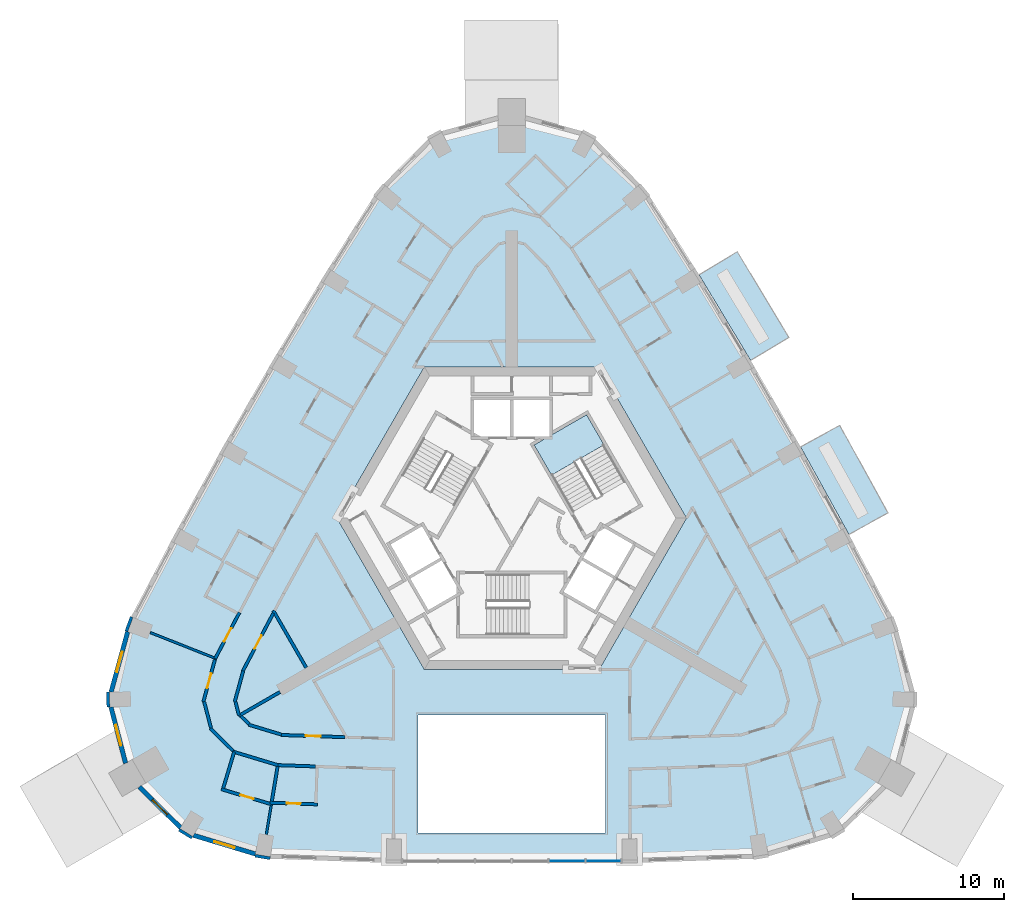
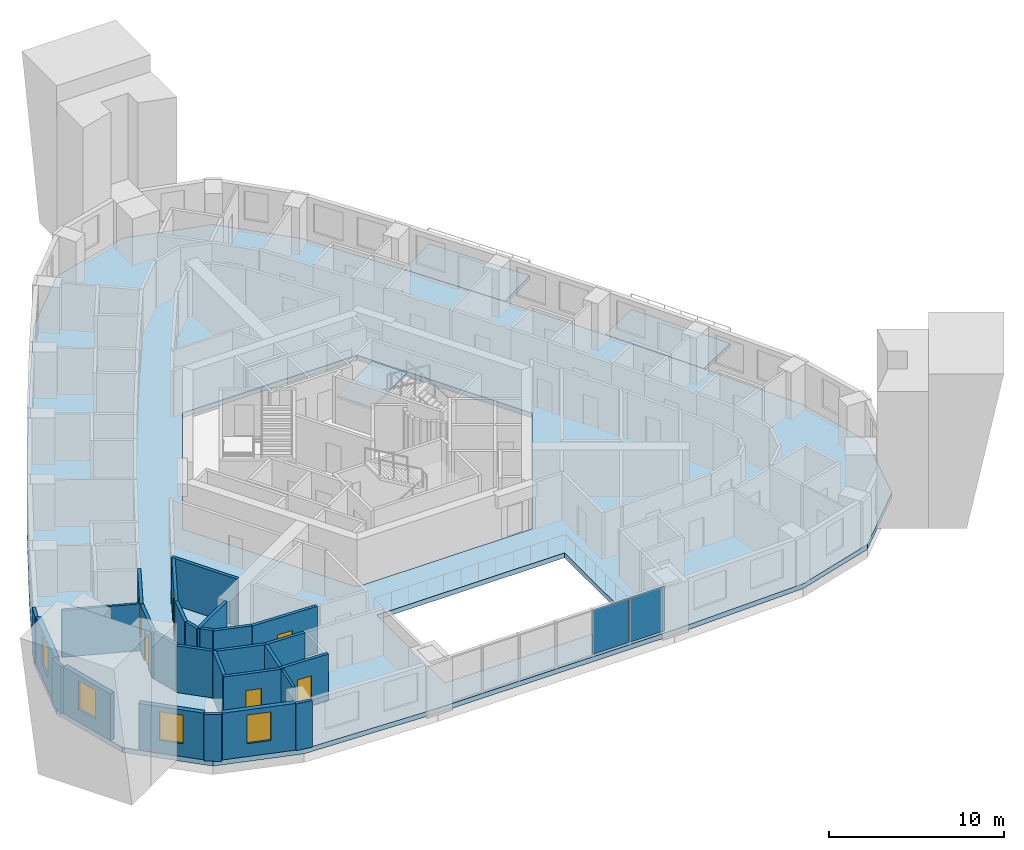
# One storey, part 3 of 14: 28 walls, 6 doors, 4 slabs, 4 windows, 2 plates, 10 openings, 2 elements without a shape of their own.
"""IFC4 building model written with IfcOpenShell, lengths in metres."""

from ifc_helpers import new_model, si_unit, direction, frame, frame_2d, origin, origin_2d, place, context, subcontext, project, spatial, polyline, rectangle, outline, extrude, material, layer, layer_set, type_object, element, fill, aggregate, save


model = new_model("IFC4")

# Units and contexts
model_context = context("Model", 3, precision=1e-05, world=origin(), true_north=direction((0.0, 1.0)))
body_context = subcontext(model_context, "Body", "Model", "MODEL_VIEW")
ifc_project = project(units=[si_unit("LENGTHUNIT", "METRE"), si_unit("AREAUNIT", "SQUARE_METRE"), si_unit("VOLUMEUNIT", "CUBIC_METRE"), si_unit("PLANEANGLEUNIT", "RADIAN"), si_unit("MASSUNIT", "GRAM", prefix="KILO")], contexts=[model_context])

# Site, building, storey
site_placement = place(None, origin())
site = spatial("IfcSite", under=ifc_project, at=site_placement, CompositionType="ELEMENT")
building_placement = place(site_placement, origin())
building = spatial("IfcBuilding", under=site, at=building_placement, Name="Entoto Arch Interchange Tower", CompositionType="ELEMENT")
storey_placement = place(building_placement, frame((0.0, 0.0, 252.199951171875)))
storey = spatial("IfcBuildingStorey", under=building, at=storey_placement, Name="L57", CompositionType="ELEMENT", Elevation=252.199951171875)

# Slabs
ifc_material_1 = material(Name="Board-marked precast concrete C50/60", Category="concrete")
ifc_layer_1 = layer(ifc_material_1, 0.25)
ifc_layer_set_1 = layer_set([ifc_layer_1], Name="Board-marked precast concrete C50/60")
slab_type_1 = type_object("IfcSlabType", Name="BALCONY DECK PRECAST 250", PredefinedType="FLOOR", material=ifc_layer_set_1)
slab_1_placement = place(storey_placement, frame((0.0, 0.0, -0.25)))
element("IfcSlab", 1, at=slab_1_placement, inside=storey, type_object=slab_type_1, Name="Planted balcony NE-02 L57", PredefinedType="FLOOR", context=body_context, shape_type="SweptSolid", body=[
    extrude(outline(polyline([(22.280029296875, 1.427978515625), (19.087890625, 7.2080078125), (21.669921875, 8.634033203125), (24.862060546875, 2.85400390625), (22.280029296875, 1.427978515625)])), origin(), (0.0, 0.0, 1.0), 0.25),
])
slab_2_placement = place(storey_placement, frame((0.0, 0.0, -0.25)))
element("IfcSlab", 2, at=slab_2_placement, inside=storey, type_object=slab_type_1, Name="Planted balcony NE-04 L57", PredefinedType="FLOOR", context=body_context, shape_type="SweptSolid", body=[
    extrude(outline(polyline([(15.785888671875, 12.926025390625), (12.3759765625, 18.58203125), (14.902099609375, 20.10498046875), (18.31201171875, 14.448974609375), (15.785888671875, 12.926025390625)])), origin(), (0.0, 0.0, 1.0), 0.25),
])

# Stair, slab
ifc_material_2 = material(Name="Concrete C40/50", Category="concrete")
stair_type = type_object("IfcStairType", Name="EXIT STAIR RC 1800", PredefinedType="HALF_TURN_STAIR", material=ifc_material_2)
stair_placement = place(storey_placement, origin())
stair = element("IfcStair", 3, at=stair_placement, inside=storey, type_object=stair_type, Name="L57 Exit stair NE", PredefinedType="HALF_TURN_STAIR")
ifc_layer_2 = layer(ifc_material_2, 0.199951171875)
ifc_layer_set_2 = layer_set([ifc_layer_2], Name="Concrete C40/50")
slab_type_2 = type_object("IfcSlabType", Name="EXIT STAIR LANDING RC 200", PredefinedType="LANDING", material=ifc_layer_set_2)
slab_3_placement = place(storey_placement, frame((0.0, 0.0, 1.60009765625)))
slab_3 = element("IfcSlab", 4, at=slab_3_placement, type_object=slab_type_2, Name="ST-NE landing 1", PredefinedType="LANDING", context=body_context, shape_type="SweptSolid", body=[
    extrude(outline(polyline([(6.093505859375, 7.345947265625), (4.943359375, 9.337890625), (1.479248046875, 7.337890625), (2.62939453125, 5.345947265625), (6.093505859375, 7.345947265625)])), origin(), (0.0, 0.0, 1.0), 0.199951171875),
])
aggregate(stair, [slab_3])

# Curtain wall, plates
ifc_material_3 = material(Name="Aluminium, anodised", Category="aluminium")
curtain_wall_type = type_object("IfcCurtainWallType", Name="CURTAIN WALL ATRIUM", PredefinedType="NOTDEFINED", material=ifc_material_3)
curtain_wall_placement = place(storey_placement, origin())
curtain_wall = element("IfcCurtainWall", 5, at=curtain_wall_placement, inside=storey, type_object=curtain_wall_type, Name="Atrium glazing S-02 L57", PredefinedType="NOTDEFINED")
ifc_material_4 = material(Name="Clear glass, low-e double glazed", Category="glass")
ifc_layer_3 = layer(ifc_material_4, 0.031982421875)
ifc_layer_set_3 = layer_set([ifc_layer_3], Name="Clear glass, low-e double glazed")
plate_type = type_object("IfcPlateType", Name="GLAZING PANEL ATRIUM 32", PredefinedType="CURTAIN_PANEL", material=ifc_layer_set_3)
plate_1_placement = place(storey_placement, frame((3.6494140625, -20.1640625, 0.080078125), z_axis=(0.0, 0.0, 1.0), x_axis=(1.0, 0.0, 0.0)))
plate_1 = element("IfcPlate", 6, at=plate_1_placement, type_object=plate_type, Name="CWA panel 5.1", PredefinedType="CURTAIN_PANEL", context=body_context, shape_type="SweptSolid", body=[
    extrude(rectangle(XDim=2.3330078125, YDim=0.031982421875, at=origin_2d()), origin(), (0.0, 0.0, 1.0), 3.10009765625),
])
plate_2_placement = place(storey_placement, frame((6.0576171875, -20.1640625, 0.080078125), z_axis=(0.0, 0.0, 1.0), x_axis=(1.0, 0.0, 0.0)))
plate_2 = element("IfcPlate", 7, at=plate_2_placement, type_object=plate_type, Name="CWA panel 6.1", PredefinedType="CURTAIN_PANEL", context=body_context, shape_type="SweptSolid", body=[
    extrude(rectangle(XDim=2.282958984375, YDim=0.031982421875, at=origin_2d()), origin(), (0.0, 0.0, 1.0), 3.10009765625),
])
aggregate(curtain_wall, [plate_1, plate_2])

# Slab
ifc_layer_4 = layer(ifc_material_2, 0.340087890625)
ifc_layer_set_4 = layer_set([ifc_layer_4], Name="Concrete C40/50")
slab_type_3 = type_object("IfcSlabType", Name="Post-tensioned flat plate 340 C40/50", PredefinedType="FLOOR", material=ifc_layer_set_4)
slab_4_placement = place(storey_placement, frame((0.0, 0.0, -0.33984375)))
element("IfcSlab", 8, at=slab_4_placement, inside=storey, type_object=slab_type_3, Name="Floor slab L57", PredefinedType="FLOOR", context=body_context, shape_type="SweptSolid", body=[
    extrude(outline(polyline([(-16.47998046875, -19.986083984375), (-7.800048828125, -20.2890625), (7.800048828125, -20.2890625), (16.47998046875, -19.986083984375), (21.60888671875, -18.43798828125), (25.4150390625, -14.674072265625), (26.77197265625, -9.493896484375), (25.388916015625, -4.462890625), (22.280029296875, 1.427978515625), (19.087890625, 7.2080078125), (15.785888671875, 12.926025390625), (12.3759765625, 18.58203125), (8.8291015625, 24.219970703125), (5.1640625, 27.93310546875), (0.0, 29.346923828125), (-5.1640625, 27.93310546875), (-8.8291015625, 24.219970703125), (-12.3759765625, 18.58203125), (-15.785888671875, 12.926025390625), (-19.087890625, 7.2080078125), (-22.280029296875, 1.427978515625), (-25.388916015625, -4.462890625), (-26.77197265625, -9.493896484375), (-25.4150390625, -14.674072265625), (-21.60888671875, -18.43798828125), (-16.47998046875, -19.986083984375)]), holes=[polyline([(6.199951171875, -18.2890625), (6.199951171875, -10.5), (-6.199951171875, -10.5), (-6.199951171875, -18.2890625), (6.199951171875, -18.2890625)]), polyline([(11.547119140625, 2.5), (5.77392578125, 12.5), (-5.77392578125, 12.5), (-11.547119140625, 2.5), (-5.77392578125, -7.5), (5.77392578125, -7.5), (11.547119140625, 2.5)])]), origin(), (0.0, 0.0, 1.0), 0.33984375),
])

# Walls
ifc_material_5 = material(Name="Gypsum board partition on steel studs", Category="steel")
ifc_layer_5 = layer(ifc_material_5, 0.14990234375)
ifc_layer_set_5 = layer_set([ifc_layer_5], Name="Gypsum board partition on steel studs")
wall_type_1 = type_object("IfcWallType", Name="PARTITION 150", PredefinedType="PARTITIONING", material=ifc_layer_set_5)
wall_1_placement = place(storey_placement, frame((-19.4970703125, -6.794921875, 0.0), z_axis=(0.0, 0.0, 1.0), x_axis=(-0.929826906887, 0.367997178289, 0.0)))
element("IfcWall", 9, at=wall_1_placement, inside=storey, type_object=wall_type_1, Name="wall:L57:p174", PredefinedType="PARTITIONING", context=body_context, shape_type="SweptSolid", body=[
    extrude(rectangle(XDim=4.717041015625, YDim=0.14990234375, at=frame_2d((2.3583984375, 0.0))), origin(), (0.0, 0.0, 1.0), 3.260009765625),
])
wall_2_placement = place(storey_placement, frame((-15.903076171875, -16.501953125, 0.0), z_axis=(0.0, 0.0, 1.0), x_axis=(-0.163715562906, -0.986507584594, 0.0)))
element("IfcWall", 10, at=wall_2_placement, inside=storey, type_object=wall_type_1, Name="wall:L57:p177", PredefinedType="PARTITIONING", context=body_context, shape_type="SweptSolid", body=[
    extrude(rectangle(XDim=1.911865234375, YDim=0.14990234375, at=frame_2d((0.9560546875, 0.0))), origin(), (0.0, 0.0, 1.0), 3.260009765625),
])

# Wall, opening, door
ifc_layer_6 = layer(ifc_material_5, 0.199951171875)
ifc_layer_set_6 = layer_set([ifc_layer_6], Name="Gypsum board partition on steel studs")
wall_type_2 = type_object("IfcWallType", Name="PARTITION 200", PredefinedType="PARTITIONING", material=ifc_layer_set_6)
wall_3_placement = place(storey_placement, frame((-15.756103515625, -3.779052734375, 0.0), z_axis=(0.0, 0.0, 1.0), x_axis=(-0.46672043873, -0.884404902786, 0.0)))
wall_3 = element("IfcWall", 11, at=wall_3_placement, inside=storey, type_object=wall_type_2, Name="wall:L57:p030", PredefinedType="PARTITIONING", context=body_context, shape_type="SweptSolid", body=[
    extrude(rectangle(XDim=4.306640625, YDim=0.199951171875, at=frame_2d((2.1533203125, 0.0))), origin(), (0.0, 0.0, 1.0), 3.260009765625),
])
opening_1_placement = place(wall_3_placement, frame((1.653076171875, 0.0, 0.0)))
opening_1 = element("IfcOpeningElement", 12, at=opening_1_placement, cuts=wall_3, Name="Opening L57-D42", PredefinedType="OPENING", context=body_context, shape_type="SweptSolid", body=[
    extrude(rectangle(XDim=1.0, YDim=2.10009765625, at=frame_2d((0.5, 1.050048828125))), frame((0.0, 0.10986328125, 0.0), z_axis=(0.0, -1.0, 0.0), x_axis=(1.0, 0.0, 0.0)), (0.0, 0.0, 1.0), 0.219970703125),
])
ifc_material_6 = material(Name="Timber door leaf in Steel S235 frame", Category="steel")
door_type_1 = type_object("IfcDoorType", Name="DOOR DS-10 1000x2100", OperationType="SINGLE_SWING_LEFT", PredefinedType="DOOR", material=ifc_material_6)
door_1_placement = place(opening_1_placement, origin())
door_1 = element("IfcDoor", 13, at=door_1_placement, inside=storey, type_object=door_type_1, Name="door:L57:42", OperationType="SINGLE_SWING_LEFT", OverallHeight=2.10009765625, OverallWidth=1.0, PredefinedType="DOOR", context=body_context, shape_type="SweptSolid", body=[
    extrude(rectangle(XDim=1.0, YDim=2.10009765625, at=frame_2d((0.5, 1.050048828125))), frame((0.0, 0.02490234375, 0.0), z_axis=(0.0, -1.0, 0.0), x_axis=(1.0, 0.0, 0.0)), (0.0, 0.0, 1.0), 0.050048828125),
])
fill(opening_1, door_1)

# Walls
wall_4_placement = place(storey_placement, frame((-17.74609375, -7.595947265625, 0.0), z_axis=(0.0, 0.0, 1.0), x_axis=(-0.264859637197, -0.96428697626, 0.0)))
element("IfcWall", 14, at=wall_4_placement, inside=storey, type_object=wall_type_2, Name="wall:L57:p031", PredefinedType="PARTITIONING", context=body_context, shape_type="SweptSolid", body=[
    extrude(rectangle(XDim=2.121826171875, YDim=0.199951171875, at=frame_2d((1.06103515625, 0.0))), origin(), (0.0, 0.0, 1.0), 3.260009765625),
])
wall_5_placement = place(storey_placement, frame((-18.257080078125, -9.64208984375, 0.0), z_axis=(0.0, 0.0, 1.0), x_axis=(0.253407342366, -0.967359663639, 0.0)))
element("IfcWall", 15, at=wall_5_placement, inside=storey, type_object=wall_type_2, Name="wall:L57:p032", PredefinedType="PARTITIONING", context=body_context, shape_type="SweptSolid", body=[
    extrude(rectangle(XDim=0.907470703125, YDim=0.199951171875, at=frame_2d((0.45361328125, 0.0))), origin(), (0.0, 0.0, 1.0), 3.260009765625),
])
wall_6_placement = place(storey_placement, frame((-17.889892578125, -10.583984375, 0.0), z_axis=(0.0, 0.0, 1.0), x_axis=(0.711042348586, -0.70314918653, 0.0)))
element("IfcWall", 16, at=wall_6_placement, inside=storey, type_object=wall_type_2, Name="wall:L57:p033", PredefinedType="PARTITIONING", context=body_context, shape_type="SweptSolid", body=[
    extrude(rectangle(XDim=0.742431640625, YDim=0.199951171875, at=frame_2d((0.37109375, 0.0))), origin(), (0.0, 0.0, 1.0), 3.260009765625),
])
wall_7_placement = place(storey_placement, frame((-17.385986328125, -11.14697265625, 0.0), z_axis=(0.0, 0.0, 1.0), x_axis=(0.957321496956, -0.289025174451, 0.0)))
element("IfcWall", 17, at=wall_7_placement, inside=storey, type_object=wall_type_2, Name="wall:L57:p034", PredefinedType="PARTITIONING", context=body_context, shape_type="SweptSolid", body=[
    extrude(rectangle(XDim=2.256103515625, YDim=0.199951171875, at=frame_2d((1.1279296875, 0.0))), origin(), (0.0, 0.0, 1.0), 3.260009765625),
])

# Wall, opening, door
wall_8_placement = place(storey_placement, frame((-15.22998046875, -11.824951171875, 0.0), z_axis=(0.0, 0.0, 1.0), x_axis=(0.999397560436, -0.0347061406, 0.0)))
wall_8 = element("IfcWall", 18, at=wall_8_placement, inside=storey, type_object=wall_type_2, Name="wall:L57:p035", PredefinedType="PARTITIONING", context=body_context, shape_type="SweptSolid", body=[
    extrude(rectangle(XDim=4.20654296875, YDim=0.199951171875, at=frame_2d((2.103271484375, 0.0))), origin(), (0.0, 0.0, 1.0), 3.260009765625),
])
opening_2_placement = place(wall_8_placement, frame((1.60302734375, 0.0, 0.0)))
opening_2 = element("IfcOpeningElement", 19, at=opening_2_placement, cuts=wall_8, Name="Opening L57-D43", PredefinedType="OPENING", context=body_context, shape_type="SweptSolid", body=[
    extrude(rectangle(XDim=1.0, YDim=2.10009765625, at=frame_2d((0.5, 1.050048828125))), frame((0.0, 0.10986328125, 0.0), z_axis=(0.0, -1.0, 0.0), x_axis=(1.0, 0.0, 0.0)), (0.0, 0.0, 1.0), 0.219970703125),
])
door_2_placement = place(opening_2_placement, origin())
door_2 = element("IfcDoor", 20, at=door_2_placement, inside=storey, type_object=door_type_1, Name="door:L57:43", OperationType="SINGLE_SWING_LEFT", OverallHeight=2.10009765625, OverallWidth=1.0, PredefinedType="DOOR", context=body_context, shape_type="SweptSolid", body=[
    extrude(rectangle(XDim=1.0, YDim=2.10009765625, at=frame_2d((0.5, 1.050048828125))), frame((0.0, 0.02490234375, 0.0), z_axis=(0.0, -1.0, 0.0), x_axis=(1.0, 0.0, 0.0)), (0.0, 0.0, 1.0), 0.050048828125),
])
fill(opening_2, door_2)

wall_9_placement = place(storey_placement, frame((-19.60205078125, -6.781005859375, 0.0), z_axis=(0.0, 0.0, 1.0), x_axis=(0.466827780692, 0.884348247679, 0.0)))
wall_9 = element("IfcWall", 21, at=wall_9_placement, inside=storey, type_object=wall_type_2, Name="wall:L57:p064", PredefinedType="PARTITIONING", context=body_context, shape_type="SweptSolid", body=[
    extrude(rectangle(XDim=3.451171875, YDim=0.199951171875, at=frame_2d((1.7255859375, 0.0))), origin(), (0.0, 0.0, 1.0), 3.260009765625),
])
opening_3_placement = place(wall_9_placement, frame((1.27490234375, 0.0, 0.0)))
opening_3 = element("IfcOpeningElement", 22, at=opening_3_placement, cuts=wall_9, Name="Opening L57-D27", PredefinedType="OPENING", context=body_context, shape_type="SweptSolid", body=[
    extrude(rectangle(XDim=1.0, YDim=2.10009765625, at=frame_2d((0.5, 1.050048828125))), frame((0.0, 0.10986328125, 0.0), z_axis=(0.0, -1.0, 0.0), x_axis=(1.0, 0.0, 0.0)), (0.0, 0.0, 1.0), 0.219970703125),
])
ifc_material_7 = material(Name="Fire-rated Steel S235 door and frame", Category="steel")
door_type_2 = type_object("IfcDoorType", Name="DOOR FD-10 1000x2100", OperationType="SINGLE_SWING_LEFT", PredefinedType="DOOR", material=ifc_material_7)
door_3_placement = place(opening_3_placement, origin())
door_3 = element("IfcDoor", 23, at=door_3_placement, inside=storey, type_object=door_type_2, Name="door:L57:27", OperationType="SINGLE_SWING_LEFT", OverallHeight=2.10009765625, OverallWidth=1.0, PredefinedType="DOOR", context=body_context, shape_type="SweptSolid", body=[
    extrude(rectangle(XDim=1.0, YDim=2.10009765625, at=frame_2d((0.5, 1.050048828125))), frame((0.0, 0.02490234375, 0.0), z_axis=(0.0, -1.0, 0.0), x_axis=(1.0, 0.0, 0.0)), (0.0, 0.0, 1.0), 0.050048828125),
])
fill(opening_3, door_3)

# Walls
wall_10_placement = place(storey_placement, frame((-18.4150390625, -12.876953125, 0.0), z_axis=(0.0, 0.0, 1.0), x_axis=(-0.711078065077, 0.70311306727, 0.0)))
element("IfcWall", 24, at=wall_10_placement, inside=storey, type_object=wall_type_2, Name="wall:L57:p066", PredefinedType="PARTITIONING", context=body_context, shape_type="SweptSolid", body=[
    extrude(rectangle(XDim=2.114990234375, YDim=0.199951171875, at=frame_2d((1.0576171875, 0.0))), origin(), (0.0, 0.0, 1.0), 3.260009765625),
])
wall_11_placement = place(storey_placement, frame((-19.873046875, -11.363037109375, 0.0), z_axis=(0.0, 0.0, 1.0), x_axis=(-0.253192482031, 0.967415922467, 0.0)))
element("IfcWall", 25, at=wall_11_placement, inside=storey, type_object=wall_type_2, Name="wall:L57:p067", PredefinedType="PARTITIONING", context=body_context, shape_type="SweptSolid", body=[
    extrude(rectangle(XDim=1.79248046875, YDim=0.199951171875, at=frame_2d((0.896240234375, 0.0))), origin(), (0.0, 0.0, 1.0), 3.260009765625),
])

# Wall, opening, door
wall_12_placement = place(storey_placement, frame((-20.37890625, -9.62890625, 0.0), z_axis=(0.0, 0.0, 1.0), x_axis=(0.26487636938, 0.964282380293, 0.0)))
wall_12 = element("IfcWall", 26, at=wall_12_placement, inside=storey, type_object=wall_type_2, Name="wall:L57:p068", PredefinedType="PARTITIONING", context=body_context, shape_type="SweptSolid", body=[
    extrude(rectangle(XDim=2.876708984375, YDim=0.199951171875, at=frame_2d((1.4384765625, 0.0))), origin(), (0.0, 0.0, 1.0), 3.260009765625),
])
opening_4_placement = place(wall_12_placement, frame((0.93798828125, 0.0, 0.0)))
opening_4 = element("IfcOpeningElement", 27, at=opening_4_placement, cuts=wall_12, Name="Opening L57-D29", PredefinedType="OPENING", context=body_context, shape_type="SweptSolid", body=[
    extrude(rectangle(XDim=1.0, YDim=2.10009765625, at=frame_2d((0.5, 1.050048828125))), frame((0.0, 0.10986328125, 0.0), z_axis=(0.0, -1.0, 0.0), x_axis=(1.0, 0.0, 0.0)), (0.0, 0.0, 1.0), 0.219970703125),
])
door_4_placement = place(opening_4_placement, origin())
door_4 = element("IfcDoor", 28, at=door_4_placement, inside=storey, type_object=door_type_2, Name="door:L57:29", OperationType="SINGLE_SWING_LEFT", OverallHeight=2.10009765625, OverallWidth=1.0, PredefinedType="DOOR", context=body_context, shape_type="SweptSolid", body=[
    extrude(rectangle(XDim=1.0, YDim=2.10009765625, at=frame_2d((0.5, 1.050048828125))), frame((0.0, 0.02490234375, 0.0), z_axis=(0.0, -1.0, 0.0), x_axis=(1.0, 0.0, 0.0)), (0.0, 0.0, 1.0), 0.050048828125),
])
fill(opening_4, door_4)

# Walls
wall_13_placement = place(storey_placement, frame((-15.363037109375, -13.846923828125, 0.0), z_axis=(0.0, 0.0, 1.0), x_axis=(-0.957320969561, 0.289026921303, 0.0)))
element("IfcWall", 29, at=wall_13_placement, inside=storey, type_object=wall_type_2, Name="wall:L57:p069", PredefinedType="PARTITIONING", context=body_context, shape_type="SweptSolid", body=[
    extrude(rectangle(XDim=3.214111328125, YDim=0.199951171875, at=frame_2d((1.60693359375, 0.0))), origin(), (0.0, 0.0, 1.0), 3.260009765625),
])
wall_14_placement = place(storey_placement, frame((-12.9609375, -13.905029296875, 0.0), z_axis=(0.0, 0.0, 1.0), x_axis=(-0.999395279268, 0.034771766949, 0.0)))
element("IfcWall", 30, at=wall_14_placement, inside=storey, type_object=wall_type_2, Name="wall:L57:p071", PredefinedType="PARTITIONING", context=body_context, shape_type="SweptSolid", body=[
    extrude(rectangle(XDim=2.49951171875, YDim=0.199951171875, at=frame_2d((1.249755859375, 0.0))), origin(), (0.0, 0.0, 1.0), 3.260009765625),
])
wall_15_placement = place(storey_placement, frame((-13.580078125, -7.37890625, 0.0), z_axis=(0.0, 0.0, 1.0), x_axis=(-0.499916403993, 0.866073662582, 0.0)))
element("IfcWall", 31, at=wall_15_placement, inside=storey, type_object=wall_type_2, Name="wall:L57:p119", PredefinedType="PARTITIONING", context=body_context, shape_type="SweptSolid", body=[
    extrude(rectangle(XDim=4.358642578125, YDim=0.199951171875, at=frame_2d((2.17919921875, 0.0))), origin(), (0.0, 0.0, 1.0), 3.260009765625),
])
wall_16_placement = place(storey_placement, frame((-15.31005859375, -8.98291015625, 0.0), z_axis=(0.0, 0.0, 1.0), x_axis=(-0.866047943894, -0.499960957353, 0.0)))
element("IfcWall", 32, at=wall_16_placement, inside=storey, type_object=wall_type_2, Name="wall:L57:p121", PredefinedType="PARTITIONING", context=body_context, shape_type="SweptSolid", body=[
    extrude(rectangle(XDim=3.160400390625, YDim=0.199951171875, at=frame_2d((1.580078125, 0.0))), origin(), (0.0, 0.0, 1.0), 3.260009765625),
])
wall_17_placement = place(storey_placement, frame((-18.343994140625, -12.947021484375, 0.0), z_axis=(0.0, 0.0, 1.0), x_axis=(-0.288709122303, -0.957416859419, 0.0)))
element("IfcWall", 33, at=wall_17_placement, inside=storey, type_object=wall_type_2, Name="wall:L57:p175", PredefinedType="PARTITIONING", context=body_context, shape_type="SweptSolid", body=[
    extrude(rectangle(XDim=2.50048828125, YDim=0.199951171875, at=frame_2d((1.250244140625, 0.0))), origin(), (0.0, 0.0, 1.0), 3.260009765625),
])

# Wall, opening, door
wall_18_placement = place(storey_placement, frame((-19.19091796875, -15.406982421875, 0.0), z_axis=(0.0, 0.0, 1.0), x_axis=(0.957443200759, -0.28862175476, 0.0)))
wall_18 = element("IfcWall", 34, at=wall_18_placement, inside=storey, type_object=wall_type_2, Name="wall:L57:p176", PredefinedType="PARTITIONING", context=body_context, shape_type="SweptSolid", body=[
    extrude(rectangle(XDim=3.551025390625, YDim=0.199951171875, at=frame_2d((1.775390625, 0.0))), origin(), (0.0, 0.0, 1.0), 3.260009765625),
])
opening_5_placement = place(wall_18_placement, frame((1.324951171875, 0.0, 0.0)))
opening_5 = element("IfcOpeningElement", 35, at=opening_5_placement, cuts=wall_18, Name="Opening L57-D30", PredefinedType="OPENING", context=body_context, shape_type="SweptSolid", body=[
    extrude(rectangle(XDim=0.89990234375, YDim=2.10009765625, at=frame_2d((0.449951171875, 1.050048828125))), frame((0.0, 0.10986328125, 0.0), z_axis=(0.0, -1.0, 0.0), x_axis=(1.0, 0.0, 0.0)), (0.0, 0.0, 1.0), 0.219970703125),
])
door_type_3 = type_object("IfcDoorType", Name="DOOR DS-09 900x2100", OperationType="SINGLE_SWING_LEFT", PredefinedType="DOOR", material=ifc_material_6)
door_5_placement = place(opening_5_placement, origin())
door_5 = element("IfcDoor", 36, at=door_5_placement, inside=storey, type_object=door_type_3, Name="door:L57:30", OperationType="SINGLE_SWING_LEFT", OverallHeight=2.10009765625, OverallWidth=0.89990234375, PredefinedType="DOOR", context=body_context, shape_type="SweptSolid", body=[
    extrude(rectangle(XDim=0.89990234375, YDim=2.10009765625, at=frame_2d((0.449951171875, 1.050048828125))), frame((0.0, 0.02490234375, 0.0), z_axis=(0.0, -1.0, 0.0), x_axis=(1.0, 0.0, 0.0)), (0.0, 0.0, 1.0), 0.050048828125),
])
fill(opening_5, door_5)

# Wall
wall_19_placement = place(storey_placement, frame((-15.47607421875, -13.9169921875, 0.0), z_axis=(0.0, 0.0, 1.0), x_axis=(-0.162964805234, -0.986631882849, 0.0)))
element("IfcWall", 37, at=wall_19_placement, inside=storey, type_object=wall_type_2, Name="wall:L57:p178", PredefinedType="PARTITIONING", context=body_context, shape_type="SweptSolid", body=[
    extrude(rectangle(XDim=2.319091796875, YDim=0.199951171875, at=frame_2d((1.15966796875, 0.0))), origin(), (0.0, 0.0, 1.0), 3.260009765625),
])

# Wall, opening, door
wall_20_placement = place(storey_placement, frame((-15.970947265625, -16.300048828125, 0.0), z_axis=(0.0, 0.0, 1.0), x_axis=(0.999370791233, -0.035468600627, 0.0)))
wall_20 = element("IfcWall", 38, at=wall_20_placement, inside=storey, type_object=wall_type_2, Name="wall:L57:p179", PredefinedType="PARTITIONING", context=body_context, shape_type="SweptSolid", body=[
    extrude(rectangle(XDim=3.125, YDim=0.199951171875, at=frame_2d((1.5625, 0.0))), origin(), (0.0, 0.0, 1.0), 3.260009765625),
])
opening_6_placement = place(wall_20_placement, frame((1.112060546875, 0.0, 0.0)))
opening_6 = element("IfcOpeningElement", 39, at=opening_6_placement, cuts=wall_20, Name="Opening L57-D32", PredefinedType="OPENING", context=body_context, shape_type="SweptSolid", body=[
    extrude(rectangle(XDim=0.89990234375, YDim=2.10009765625, at=frame_2d((0.449951171875, 1.050048828125))), frame((0.0, 0.10986328125, 0.0), z_axis=(0.0, -1.0, 0.0), x_axis=(1.0, 0.0, 0.0)), (0.0, 0.0, 1.0), 0.219970703125),
])
door_6_placement = place(opening_6_placement, origin())
door_6 = element("IfcDoor", 40, at=door_6_placement, inside=storey, type_object=door_type_3, Name="door:L57:32", OperationType="SINGLE_SWING_LEFT", OverallHeight=2.10009765625, OverallWidth=0.89990234375, PredefinedType="DOOR", context=body_context, shape_type="SweptSolid", body=[
    extrude(rectangle(XDim=0.89990234375, YDim=2.10009765625, at=frame_2d((0.449951171875, 1.050048828125))), frame((0.0, 0.02490234375, 0.0), z_axis=(0.0, -1.0, 0.0), x_axis=(1.0, 0.0, 0.0)), (0.0, 0.0, 1.0), 0.050048828125),
])
fill(opening_6, door_6)

# Wall, opening, window
ifc_material_8 = material(Name="Welded tuff (ignimbrite) cladding, warm buff", Category="masonry")
ifc_layer_7 = layer(ifc_material_8, 0.300048828125)
ifc_layer_set_7 = layer_set([ifc_layer_7], Name="Welded tuff (ignimbrite) cladding, warm buff")
wall_type_3 = type_object("IfcWallType", Name="STONE INFILL WALL 300", PredefinedType="STANDARD", material=ifc_layer_set_7)
wall_21_placement = place(storey_placement, frame((-25.381103515625, -4.998046875, 0.0), z_axis=(0.0, 0.0, 1.0), x_axis=(-0.264924661919, -0.964269113633, 0.0)))
wall_21 = element("IfcWall", 41, at=wall_21_placement, inside=storey, type_object=wall_type_3, Name="Facade wall SW-01 L57", PredefinedType="STANDARD", context=body_context, shape_type="SweptSolid", body=[
    extrude(rectangle(XDim=4.13671875, YDim=0.300048828125, at=frame_2d((2.068359375, 0.0))), origin(), (0.0, 0.0, 1.0), 3.260009765625),
])
opening_7_placement = place(wall_21_placement, frame((1.367919921875, 0.0, 0.89990234375)))
opening_7 = element("IfcOpeningElement", 42, at=opening_7_placement, cuts=wall_21, Name="Opening WH-B", PredefinedType="OPENING", context=body_context, shape_type="SweptSolid", body=[
    extrude(rectangle(XDim=1.39990234375, YDim=2.0, at=frame_2d((0.699951171875, 1.0))), frame((0.0, 0.16015625, 0.0), z_axis=(0.0, -1.0, 0.0), x_axis=(1.0, 0.0, 0.0)), (0.0, 0.0, 1.0), 0.320068359375),
])
window_type = type_object("IfcWindowType", Name="WINDOW WH-B 1400x2000", PartitioningType="DOUBLE_PANEL_VERTICAL", PredefinedType="WINDOW", material=ifc_material_4)
window_1_placement = place(opening_7_placement, origin())
window_1 = element("IfcWindow", 43, at=window_1_placement, inside=storey, type_object=window_type, Name="Window WH-B SW-01 L57", OverallHeight=2.0, OverallWidth=1.39990234375, PartitioningType="SINGLE_PANEL", PredefinedType="WINDOW", context=body_context, shape_type="SweptSolid", body=[
    extrude(rectangle(XDim=1.39990234375, YDim=2.0, at=frame_2d((0.699951171875, 1.0))), frame((0.0, 0.030029296875, 0.0), z_axis=(0.0, -1.0, 0.0), x_axis=(1.0, 0.0, 0.0)), (0.0, 0.0, 1.0), 0.06005859375),
])
fill(opening_7, window_1)

wall_22_placement = place(storey_placement, frame((-26.488037109375, -9.986083984375, 0.0), z_axis=(0.0, 0.0, 1.0), x_axis=(0.253248721632, -0.967401201669, 0.0)))
wall_22 = element("IfcWall", 44, at=wall_22_placement, inside=storey, type_object=wall_type_3, Name="Facade wall SW-02 L57", PredefinedType="STANDARD", context=body_context, shape_type="SweptSolid", body=[
    extrude(rectangle(XDim=3.833984375, YDim=0.300048828125, at=frame_2d((1.9169921875, 0.0))), origin(), (0.0, 0.0, 1.0), 3.260009765625),
])
opening_8_placement = place(wall_22_placement, frame((1.217041015625, 0.0, 0.89990234375)))
opening_8 = element("IfcOpeningElement", 45, at=opening_8_placement, cuts=wall_22, Name="Opening WH-B", PredefinedType="OPENING", context=body_context, shape_type="SweptSolid", body=[
    extrude(rectangle(XDim=1.39990234375, YDim=2.0, at=frame_2d((0.699951171875, 1.0))), frame((0.0, 0.16015625, 0.0), z_axis=(0.0, -1.0, 0.0), x_axis=(1.0, 0.0, 0.0)), (0.0, 0.0, 1.0), 0.320068359375),
])
window_2_placement = place(opening_8_placement, origin())
window_2 = element("IfcWindow", 46, at=window_2_placement, inside=storey, type_object=window_type, Name="Window WH-B SW-02 L57", OverallHeight=2.0, OverallWidth=1.39990234375, PartitioningType="SINGLE_PANEL", PredefinedType="WINDOW", context=body_context, shape_type="SweptSolid", body=[
    extrude(rectangle(XDim=1.39990234375, YDim=2.0, at=frame_2d((0.699951171875, 1.0))), frame((0.0, 0.030029296875, 0.0), z_axis=(0.0, -1.0, 0.0), x_axis=(1.0, 0.0, 0.0)), (0.0, 0.0, 1.0), 0.06005859375),
])
fill(opening_8, window_2)

wall_23_placement = place(storey_placement, frame((-24.617919921875, -15.251953125, 0.0), z_axis=(0.0, 0.0, 1.0), x_axis=(0.71110935557, -0.703081420904, 0.0)))
wall_23 = element("IfcWall", 47, at=wall_23_placement, inside=storey, type_object=wall_type_3, Name="Facade wall SW-03 L57", PredefinedType="STANDARD", context=body_context, shape_type="SweptSolid", body=[
    extrude(rectangle(XDim=3.831787109375, YDim=0.300048828125, at=frame_2d((1.916015625, 0.0))), origin(), (0.0, 0.0, 1.0), 3.260009765625),
])
opening_9_placement = place(wall_23_placement, frame((1.216064453125, 0.0, 0.89990234375)))
opening_9 = element("IfcOpeningElement", 48, at=opening_9_placement, cuts=wall_23, Name="Opening WH-B", PredefinedType="OPENING", context=body_context, shape_type="SweptSolid", body=[
    extrude(rectangle(XDim=1.39990234375, YDim=2.0, at=frame_2d((0.699951171875, 1.0))), frame((0.0, 0.16015625, 0.0), z_axis=(0.0, -1.0, 0.0), x_axis=(1.0, 0.0, 0.0)), (0.0, 0.0, 1.0), 0.320068359375),
])
window_3_placement = place(opening_9_placement, origin())
window_3 = element("IfcWindow", 49, at=window_3_placement, inside=storey, type_object=window_type, Name="Window WH-B SW-03 L57", OverallHeight=2.0, OverallWidth=1.39990234375, PartitioningType="SINGLE_PANEL", PredefinedType="WINDOW", context=body_context, shape_type="SweptSolid", body=[
    extrude(rectangle(XDim=1.39990234375, YDim=2.0, at=frame_2d((0.699951171875, 1.0))), frame((0.0, 0.030029296875, 0.0), z_axis=(0.0, -1.0, 0.0), x_axis=(1.0, 0.0, 0.0)), (0.0, 0.0, 1.0), 0.06005859375),
])
fill(opening_9, window_3)

wall_24_placement = place(storey_placement, frame((-21.033935546875, -18.455078125, 0.0), z_axis=(0.0, 0.0, 1.0), x_axis=(0.957346168713, -0.288943442997, 0.0)))
wall_24 = element("IfcWall", 50, at=wall_24_placement, inside=storey, type_object=wall_type_3, Name="Facade wall SW-04 L57", PredefinedType="STANDARD", context=body_context, shape_type="SweptSolid", body=[
    extrude(rectangle(XDim=4.280517578125, YDim=0.300048828125, at=frame_2d((2.14013671875, 0.0))), origin(), (0.0, 0.0, 1.0), 3.260009765625),
])
opening_10_placement = place(wall_24_placement, frame((1.43994140625, 0.0, 0.89990234375)))
opening_10 = element("IfcOpeningElement", 51, at=opening_10_placement, cuts=wall_24, Name="Opening WH-B", PredefinedType="OPENING", context=body_context, shape_type="SweptSolid", body=[
    extrude(rectangle(XDim=1.39990234375, YDim=2.0, at=frame_2d((0.699951171875, 1.0))), frame((0.0, 0.16015625, 0.0), z_axis=(0.0, -1.0, 0.0), x_axis=(1.0, 0.0, 0.0)), (0.0, 0.0, 1.0), 0.320068359375),
])
window_4_placement = place(opening_10_placement, origin())
window_4 = element("IfcWindow", 52, at=window_4_placement, inside=storey, type_object=window_type, Name="Window WH-B SW-04 L57", OverallHeight=2.0, OverallWidth=1.39990234375, PartitioningType="SINGLE_PANEL", PredefinedType="WINDOW", context=body_context, shape_type="SweptSolid", body=[
    extrude(rectangle(XDim=1.39990234375, YDim=2.0, at=frame_2d((0.699951171875, 1.0))), frame((0.0, 0.030029296875, 0.0), z_axis=(0.0, -1.0, 0.0), x_axis=(1.0, 0.0, 0.0)), (0.0, 0.0, 1.0), 0.06005859375),
])
fill(opening_10, window_4)

# Walls
ifc_layer_8 = layer(ifc_material_8, 0.199951171875)
ifc_layer_set_8 = layer_set([ifc_layer_8], Name="Welded tuff (ignimbrite) cladding, warm buff")
wall_type_4 = type_object("IfcWallType", Name="STONE PIER CLADDING 200", PredefinedType="STANDARD", material=ifc_layer_set_8)
wall_25_placement = place(storey_placement, frame((-25.1220703125, -4.029052734375, 0.0), z_axis=(0.0, 0.0, 1.0), x_axis=(-0.346892928577, -0.937904737222, 0.0)))
element("IfcWall", 53, at=wall_25_placement, inside=storey, type_object=wall_type_4, Name="Stone pier NW06 L57", PredefinedType="STANDARD", context=body_context, shape_type="SweptSolid", body=[
    extrude(rectangle(XDim=1.0, YDim=0.199951171875, at=frame_2d((0.5, 0.0))), origin(), (0.0, 0.0, 1.0), 3.260009765625),
])
wall_26_placement = place(storey_placement, frame((-16.9560546875, -19.803955078125, 0.0), z_axis=(0.0, 0.0, 1.0), x_axis=(0.985961725342, -0.166971483074, 0.0)))
element("IfcWall", 54, at=wall_26_placement, inside=storey, type_object=wall_type_4, Name="Stone pier S01 L57", PredefinedType="STANDARD", context=body_context, shape_type="SweptSolid", body=[
    extrude(rectangle(XDim=1.000244140625, YDim=0.199951171875, at=frame_2d((0.5, 0.0))), origin(), (0.0, 0.0, 1.0), 3.260009765625),
])
wall_27_placement = place(storey_placement, frame((-26.68408203125, -8.991943359375, 0.0), z_axis=(0.0, 0.0, 1.0), x_axis=(0.024186470916, -0.999707464524, 0.0)))
element("IfcWall", 55, at=wall_27_placement, inside=storey, type_object=wall_type_4, Name="Stone pier SW1 L57", PredefinedType="STANDARD", context=body_context, shape_type="SweptSolid", body=[
    extrude(rectangle(XDim=0.999267578125, YDim=0.199951171875, at=frame_2d((0.49951171875, 0.0))), origin(), (0.0, 0.0, 1.0), 3.260009765625),
])
wall_28_placement = place(storey_placement, frame((-21.98388671875, -18.092041015625, 0.0), z_axis=(0.0, 0.0, 1.0), x_axis=(0.853679739553, -0.520798331677, 0.0)))
element("IfcWall", 56, at=wall_28_placement, inside=storey, type_object=wall_type_4, Name="Stone pier SW3 L57", PredefinedType="STANDARD", context=body_context, shape_type="SweptSolid", body=[
    extrude(rectangle(XDim=1.00048828125, YDim=0.199951171875, at=frame_2d((0.500244140625, 0.0))), origin(), (0.0, 0.0, 1.0), 3.260009765625),
])

save(model, "model.ifc")
